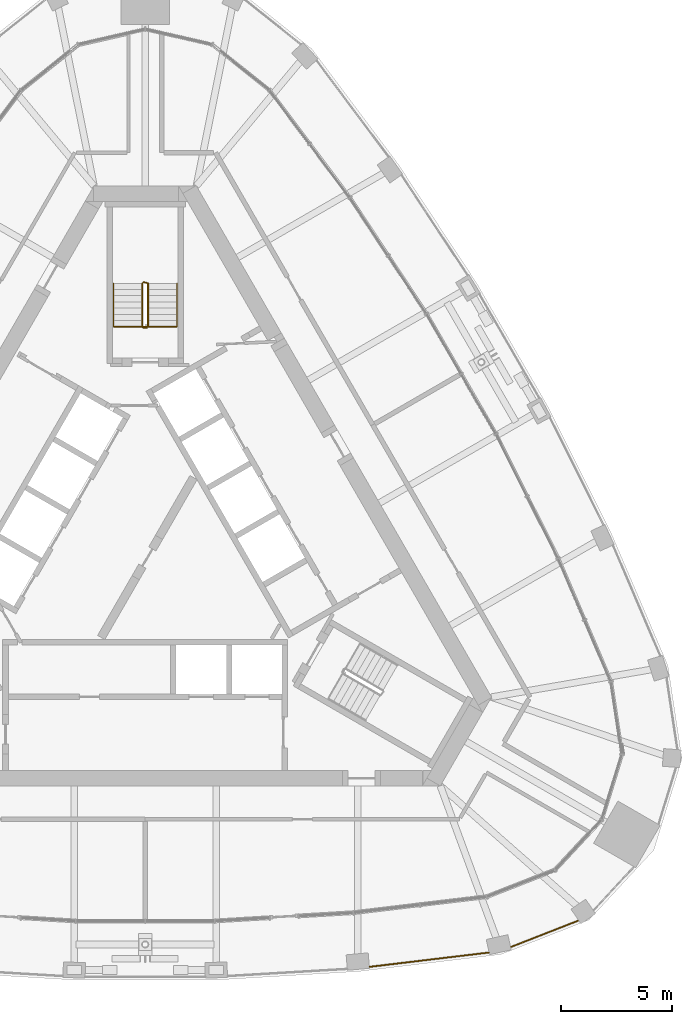
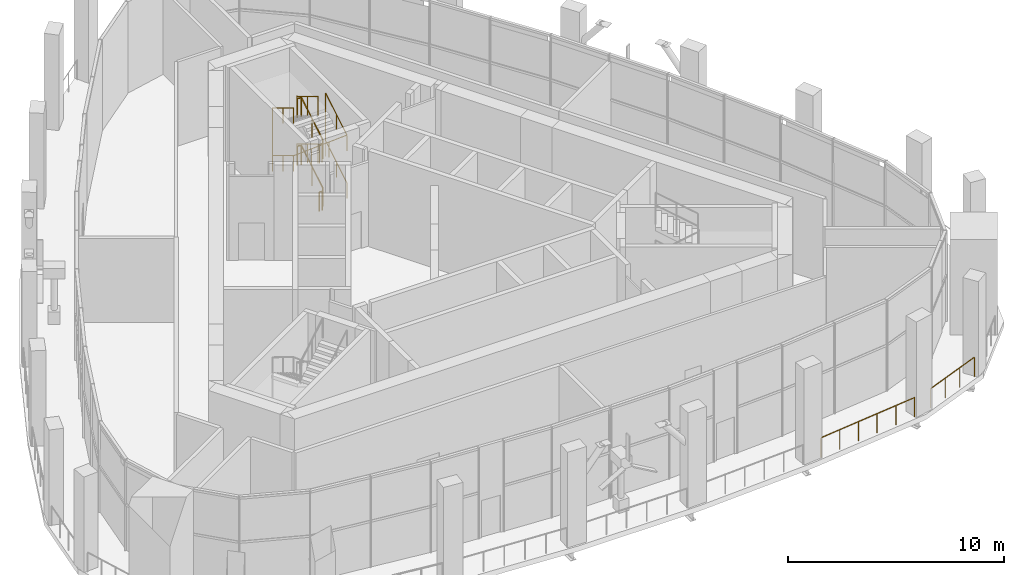
# One storey, part 20 of 23: 8 railings.
"""IFC4 building model written with IfcOpenShell, lengths in metres."""

from ifc_helpers import new_model, si_unit, direction, frame, origin, origin_2d, place, context, subcontext, project, spatial, circle, extrude, material, type_object, element, save


model = new_model("IFC4")

# Units and contexts
model_context = context("Model", 3, precision=1e-05, world=origin(), true_north=direction((0.0, 1.0)))
body_context = subcontext(model_context, "Body", "Model", "MODEL_VIEW")
ifc_project = project(units=[si_unit("LENGTHUNIT", "METRE"), si_unit("AREAUNIT", "SQUARE_METRE"), si_unit("VOLUMEUNIT", "CUBIC_METRE"), si_unit("PLANEANGLEUNIT", "RADIAN"), si_unit("MASSUNIT", "GRAM", prefix="KILO")], contexts=[model_context])

# Site, building, storey
site_placement = place(None, origin())
site = spatial("IfcSite", under=ifc_project, at=site_placement, CompositionType="ELEMENT")
building_placement = place(site_placement, origin())
building = spatial("IfcBuilding", under=site, at=building_placement, Name="Mestral Congress Tower", CompositionType="ELEMENT")
storey_placement = place(building_placement, frame((0.0, 0.0, 261.60009765625)))
storey = spatial("IfcBuildingStorey", under=building, at=storey_placement, Name="L61", CompositionType="ELEMENT", Elevation=261.60009765625)

# Railings
ifc_material_1 = material(Name="Stainless steel", Category="steel")
railing_type_1 = type_object("IfcRailingType", Name="Facade guard 1120 steel and glass", PredefinedType="GUARDRAIL", material=ifc_material_1)
railing_1_placement = place(storey_placement, frame((10.115966796875, -18.512451171875, 0.0)))
element("IfcRailing", 1, at=railing_1_placement, inside=storey, type_object=railing_type_1, Name="Ring deck guard F0-04", PredefinedType="GUARDRAIL", context=body_context, shape_type="SweptSolid", body=[
    extrude(circle(Radius=0.02392578125, at=origin_2d()), frame((0.0, 0.0, 1.09619140625), z_axis=(0.992890912139, 0.119027881575, 0.0), x_axis=(-0.119027881575, 0.992890912139, 0.0)), (0.0, 0.0, 1.0), 5.4150390625),
    extrude(circle(Radius=0.02099609375, at=origin_2d()), origin(), (0.0, 0.0, 1.0), 1.072021484375),
    extrude(circle(Radius=0.02099609375, at=origin_2d()), frame((1.0751953125, 0.12890625, 0.0)), (0.0, 0.0, 1.0), 1.072021484375),
    extrude(circle(Radius=0.02099609375, at=origin_2d()), frame((2.150634765625, 0.2578125, 0.0)), (0.0, 0.0, 1.0), 1.072021484375),
    extrude(circle(Radius=0.02099609375, at=origin_2d()), frame((3.225830078125, 0.38671875, 0.0)), (0.0, 0.0, 1.0), 1.072021484375),
    extrude(circle(Radius=0.02099609375, at=origin_2d()), frame((4.30126953125, 0.515625, 0.0)), (0.0, 0.0, 1.0), 1.072021484375),
    extrude(circle(Radius=0.02099609375, at=origin_2d()), frame((5.37646484375, 0.64453125, 0.0)), (0.0, 0.0, 1.0), 1.072021484375),
])
railing_2_placement = place(storey_placement, frame((16.49951171875, -17.614990234375, 0.0)))
element("IfcRailing", 2, at=railing_2_placement, inside=storey, type_object=railing_type_1, Name="Ring deck guard K0-0", PredefinedType="GUARDRAIL", context=body_context, shape_type="SweptSolid", body=[
    extrude(circle(Radius=0.02392578125, at=origin_2d()), frame((0.0, 0.0, 1.09619140625), z_axis=(0.930998834996, 0.365022148967, 0.0), x_axis=(-0.365022148967, 0.930998834996, 0.0)), (0.0, 0.0, 1.0), 3.236572265625),
    extrude(circle(Radius=0.02099609375, at=origin_2d()), origin(), (0.0, 0.0, 1.0), 1.072021484375),
    extrude(circle(Radius=0.02099609375, at=origin_2d()), frame((1.00439453125, 0.393798828125, 0.0)), (0.0, 0.0, 1.0), 1.072021484375),
    extrude(circle(Radius=0.02099609375, at=origin_2d()), frame((2.0087890625, 0.78759765625, 0.0)), (0.0, 0.0, 1.0), 1.072021484375),
    extrude(circle(Radius=0.02099609375, at=origin_2d()), frame((3.01318359375, 1.181396484375, 0.0)), (0.0, 0.0, 1.0), 1.072021484375),
])
ifc_material_2 = material(Name="Steel balustrade", Category="steel")
railing_type_2 = type_object("IfcRailingType", Name="Stair guard 1100", PredefinedType="GUARDRAIL", material=ifc_material_2)
railing_3_placement = place(storey_placement, frame((0.125, 10.35009765625, 0.168701171875)))
element("IfcRailing", 3, at=railing_3_placement, inside=storey, type_object=railing_type_2, Name="L61 ST2 stair guard 1", PredefinedType="GUARDRAIL", context=body_context, shape_type="SweptSolid", body=[
    extrude(circle(Radius=0.02392578125, at=origin_2d()), frame((0.0, 0.0, 1.076171875), z_axis=(0.0, 0.856493463811, 0.516157869696), x_axis=(-1.0, 0.0, 0.0)), (0.0, 0.0, 1.0), 2.288330078125),
    extrude(circle(Radius=0.02392578125, at=origin_2d()), frame((0.0, 1.9599609375, 2.25732421875), z_axis=(-0.970072785993, 0.242814311512, 0.0), x_axis=(-0.242814311512, -0.970072785993, 0.0)), (0.0, 0.0, 1.0), 0.2060546875),
    extrude(circle(Radius=0.02099609375, at=origin_2d()), origin(), (0.0, 0.0, 1.0), 1.052001953125),
    extrude(circle(Radius=0.02099609375, at=origin_2d()), frame((0.0, 0.97998046875, 0.590576171875)), (0.0, 0.0, 1.0), 1.052001953125),
    extrude(circle(Radius=0.02099609375, at=origin_2d()), frame((0.0, 1.9599609375, 1.18115234375)), (0.0, 0.0, 1.0), 1.052001953125),
    extrude(circle(Radius=0.02099609375, at=origin_2d()), frame((-0.199951171875, 2.010009765625, 1.18115234375)), (0.0, 0.0, 1.0), 1.052001953125),
])
railing_4_placement = place(storey_placement, frame((-0.125, 12.31005859375, 1.5185546875)))
element("IfcRailing", 4, at=railing_4_placement, inside=storey, type_object=railing_type_2, Name="L61 ST2 stair guard 2", PredefinedType="GUARDRAIL", context=body_context, shape_type="SweptSolid", body=[
    extrude(circle(Radius=0.02392578125, at=origin_2d()), frame((0.0, 0.0, 1.076171875), z_axis=(0.0, -0.856446297458, 0.516236127728), x_axis=(1.0, 0.0, 0.0)), (0.0, 0.0, 1.0), 2.28857421875),
    extrude(circle(Radius=0.02392578125, at=origin_2d()), frame((0.0, -1.9599609375, 2.25732421875), z_axis=(0.707106781187, -0.707106781187, 0.0), x_axis=(0.707106781187, 0.707106781187, 0.0)), (0.0, 0.0, 1.0), 0.07080078125),
    extrude(circle(Radius=0.02392578125, at=origin_2d()), frame((0.050048828125, -2.010009765625, 2.25732421875), z_axis=(1.0, 0.0, 0.0), x_axis=(0.0, 1.0, 0.0)), (0.0, 0.0, 1.0), 0.14990234375),
    extrude(circle(Radius=0.02099609375, at=origin_2d()), origin(), (0.0, 0.0, 1.0), 1.052001953125),
    extrude(circle(Radius=0.02099609375, at=origin_2d()), frame((0.0, -0.97998046875, 0.5908203125)), (0.0, 0.0, 1.0), 1.052001953125),
    extrude(circle(Radius=0.02099609375, at=origin_2d()), frame((0.0, -1.9599609375, 1.181396484375)), (0.0, 0.0, 1.0), 1.052001953125),
    extrude(circle(Radius=0.02099609375, at=origin_2d()), frame((0.050048828125, -2.010009765625, 1.181396484375)), (0.0, 0.0, 1.0), 1.052001953125),
    extrude(circle(Radius=0.02099609375, at=origin_2d()), frame((0.199951171875, -2.010009765625, 1.181396484375)), (0.0, 0.0, 1.0), 1.052001953125),
])
railing_5_placement = place(storey_placement, frame((0.125, 10.35009765625, 2.86865234375)))
element("IfcRailing", 5, at=railing_5_placement, inside=storey, type_object=railing_type_2, Name="L61 ST2 stair guard 3", PredefinedType="GUARDRAIL", context=body_context, shape_type="SweptSolid", body=[
    extrude(circle(Radius=0.02392578125, at=origin_2d()), frame((0.0, 0.0, 1.076171875), z_axis=(0.0, 0.856493463811, 0.516157869696), x_axis=(-1.0, 0.0, 0.0)), (0.0, 0.0, 1.0), 2.288330078125),
    extrude(circle(Radius=0.02392578125, at=origin_2d()), frame((0.0, 1.9599609375, 2.25732421875), z_axis=(-0.970072785993, 0.242814311512, 0.0), x_axis=(-0.242814311512, -0.970072785993, 0.0)), (0.0, 0.0, 1.0), 0.2060546875),
    extrude(circle(Radius=0.02099609375, at=origin_2d()), origin(), (0.0, 0.0, 1.0), 1.052001953125),
    extrude(circle(Radius=0.02099609375, at=origin_2d()), frame((0.0, 0.97998046875, 0.590576171875)), (0.0, 0.0, 1.0), 1.052001953125),
    extrude(circle(Radius=0.02099609375, at=origin_2d()), frame((0.0, 1.9599609375, 1.18115234375)), (0.0, 0.0, 1.0), 1.052001953125),
    extrude(circle(Radius=0.02099609375, at=origin_2d()), frame((-0.199951171875, 2.010009765625, 1.18115234375)), (0.0, 0.0, 1.0), 1.052001953125),
])
railing_6_placement = place(storey_placement, frame((-0.125, 12.31005859375, 4.21875)))
element("IfcRailing", 6, at=railing_6_placement, inside=storey, type_object=railing_type_2, Name="L61 ST2 stair guard 4", PredefinedType="GUARDRAIL", context=body_context, shape_type="SweptSolid", body=[
    extrude(circle(Radius=0.02392578125, at=origin_2d()), frame((0.0, 0.0, 1.076171875), z_axis=(0.0, -0.856493463811, 0.516157869696), x_axis=(1.0, 0.0, 0.0)), (0.0, 0.0, 1.0), 2.288330078125),
    extrude(circle(Radius=0.02099609375, at=origin_2d()), origin(), (0.0, 0.0, 1.0), 1.052001953125),
    extrude(circle(Radius=0.02099609375, at=origin_2d()), frame((0.0, -0.97998046875, 0.590576171875)), (0.0, 0.0, 1.0), 1.052001953125),
    extrude(circle(Radius=0.02099609375, at=origin_2d()), frame((0.0, -1.9599609375, 1.18115234375)), (0.0, 0.0, 1.0), 1.052001953125),
])
railing_7_placement = place(storey_placement, frame((0.074951171875, 10.300048828125, 0.0)))
element("IfcRailing", 7, at=railing_7_placement, inside=storey, type_object=railing_type_2, Name="L61 ST2 stair guard 5", PredefinedType="GUARDRAIL", context=body_context, shape_type="SweptSolid", body=[
    extrude(circle(Radius=0.02392578125, at=origin_2d()), frame((0.0, 0.0, 1.076171875), z_axis=(-1.0, 0.0, 0.0), x_axis=(0.0, -1.0, 0.0)), (0.0, 0.0, 1.0), 0.14990234375),
    extrude(circle(Radius=0.02099609375, at=origin_2d()), origin(), (0.0, 0.0, 1.0), 1.052001953125),
    extrude(circle(Radius=0.02099609375, at=origin_2d()), frame((-0.14990234375, 0.0, 0.0)), (0.0, 0.0, 1.0), 1.052001953125),
])
ifc_material_3 = material(Name="Steel handrail", Category="steel")
railing_type_3 = type_object("IfcRailingType", Name="Stair handrail 900", PredefinedType="HANDRAIL", material=ifc_material_3)
railing_8_placement = place(storey_placement, frame((1.425048828125, 10.35009765625, 0.168701171875)))
element("IfcRailing", 8, at=railing_8_placement, inside=storey, type_object=railing_type_3, Name="L61 ST2 stair handrail 1", PredefinedType="HANDRAIL", context=body_context, shape_type="SweptSolid", body=[
    extrude(circle(Radius=0.02392578125, at=origin_2d()), frame((0.0, 0.0, 0.8759765625), z_axis=(0.0, 0.856493463811, 0.516157869696), x_axis=(-1.0, 0.0, 0.0)), (0.0, 0.0, 1.0), 2.288330078125),
    extrude(circle(Radius=0.02392578125, at=origin_2d()), frame((0.0, 1.9599609375, 2.05712890625), z_axis=(0.0, 0.0, 1.0), x_axis=(1.0, 0.0, 0.0)), (0.0, 0.0, 1.0), 2.699951171875),
    extrude(circle(Radius=0.02392578125, at=origin_2d()), frame((0.0, 1.9599609375, 4.7568359375), z_axis=(0.0, -0.856493463811, -0.516157869696), x_axis=(1.0, 0.0, 0.0)), (0.0, 0.0, 1.0), 2.288330078125),
    extrude(circle(Radius=0.02392578125, at=origin_2d()), frame((0.0, 0.0, 3.57568359375), z_axis=(-0.998252780982, 0.0, -0.059087945148), x_axis=(0.0, -1.0, 0.0)), (0.0, 0.0, 1.0), 2.85498046875),
    extrude(circle(Radius=0.02392578125, at=origin_2d()), frame((-2.85009765625, 0.0, 3.4072265625), z_axis=(0.0, 0.856446297458, -0.516236127728), x_axis=(-1.0, 0.0, 0.0)), (0.0, 0.0, 1.0), 2.28857421875),
    extrude(circle(Radius=0.02392578125, at=origin_2d()), frame((-2.85009765625, 1.9599609375, 2.2255859375), z_axis=(0.0, 0.0, 1.0), x_axis=(1.0, 0.0, 0.0)), (0.0, 0.0, 1.0), 2.7001953125),
    extrude(circle(Radius=0.02392578125, at=origin_2d()), frame((-2.85009765625, 1.9599609375, 4.92578125), z_axis=(0.0, -0.856493463811, 0.516157869696), x_axis=(1.0, 0.0, 0.0)), (0.0, 0.0, 1.0), 2.288330078125),
    extrude(circle(Radius=0.02099609375, at=origin_2d()), origin(), (0.0, 0.0, 1.0), 0.851806640625),
    extrude(circle(Radius=0.02099609375, at=origin_2d()), frame((0.0, 0.97998046875, 0.590576171875)), (0.0, 0.0, 1.0), 0.851806640625),
    extrude(circle(Radius=0.02099609375, at=origin_2d()), frame((0.0, 1.9599609375, 1.18115234375)), (0.0, 0.0, 1.0), 0.851806640625),
    extrude(circle(Radius=0.02099609375, at=origin_2d()), frame((0.0, 1.9599609375, 2.0810546875)), (0.0, 0.0, 1.0), 0.851806640625),
    extrude(circle(Radius=0.02099609375, at=origin_2d()), frame((0.0, 1.9599609375, 2.981201171875)), (0.0, 0.0, 1.0), 0.851806640625),
    extrude(circle(Radius=0.02099609375, at=origin_2d()), frame((0.0, 1.9599609375, 3.881103515625)), (0.0, 0.0, 1.0), 0.851806640625),
    extrude(circle(Radius=0.02099609375, at=origin_2d()), frame((0.0, 0.97998046875, 3.29052734375)), (0.0, 0.0, 1.0), 0.851806640625),
    extrude(circle(Radius=0.02099609375, at=origin_2d()), frame((0.0, 0.0, 2.699951171875)), (0.0, 0.0, 1.0), 0.851806640625),
    extrude(circle(Radius=0.02099609375, at=origin_2d()), frame((-0.949951171875, 0.0, 2.643798828125)), (0.0, 0.0, 1.0), 0.851806640625),
    extrude(circle(Radius=0.02099609375, at=origin_2d()), frame((-1.900146484375, 0.0, 2.58740234375)), (0.0, 0.0, 1.0), 0.851806640625),
    extrude(circle(Radius=0.02099609375, at=origin_2d()), frame((-2.85009765625, 0.0, 2.53125)), (0.0, 0.0, 1.0), 0.851806640625),
    extrude(circle(Radius=0.02099609375, at=origin_2d()), frame((-2.85009765625, 0.97998046875, 1.9404296875)), (0.0, 0.0, 1.0), 0.851806640625),
    extrude(circle(Radius=0.02099609375, at=origin_2d()), frame((-2.85009765625, 1.9599609375, 1.349853515625)), (0.0, 0.0, 1.0), 0.851806640625),
    extrude(circle(Radius=0.02099609375, at=origin_2d()), frame((-2.85009765625, 1.9599609375, 2.25)), (0.0, 0.0, 1.0), 0.851806640625),
    extrude(circle(Radius=0.02099609375, at=origin_2d()), frame((-2.85009765625, 1.9599609375, 3.14990234375)), (0.0, 0.0, 1.0), 0.851806640625),
    extrude(circle(Radius=0.02099609375, at=origin_2d()), frame((-2.85009765625, 1.9599609375, 4.050048828125)), (0.0, 0.0, 1.0), 0.851806640625),
    extrude(circle(Radius=0.02099609375, at=origin_2d()), frame((-2.85009765625, 0.97998046875, 4.640625)), (0.0, 0.0, 1.0), 0.851806640625),
    extrude(circle(Radius=0.02099609375, at=origin_2d()), frame((-2.85009765625, 0.0, 5.231201171875)), (0.0, 0.0, 1.0), 0.851806640625),
])

save(model, "model.ifc")
